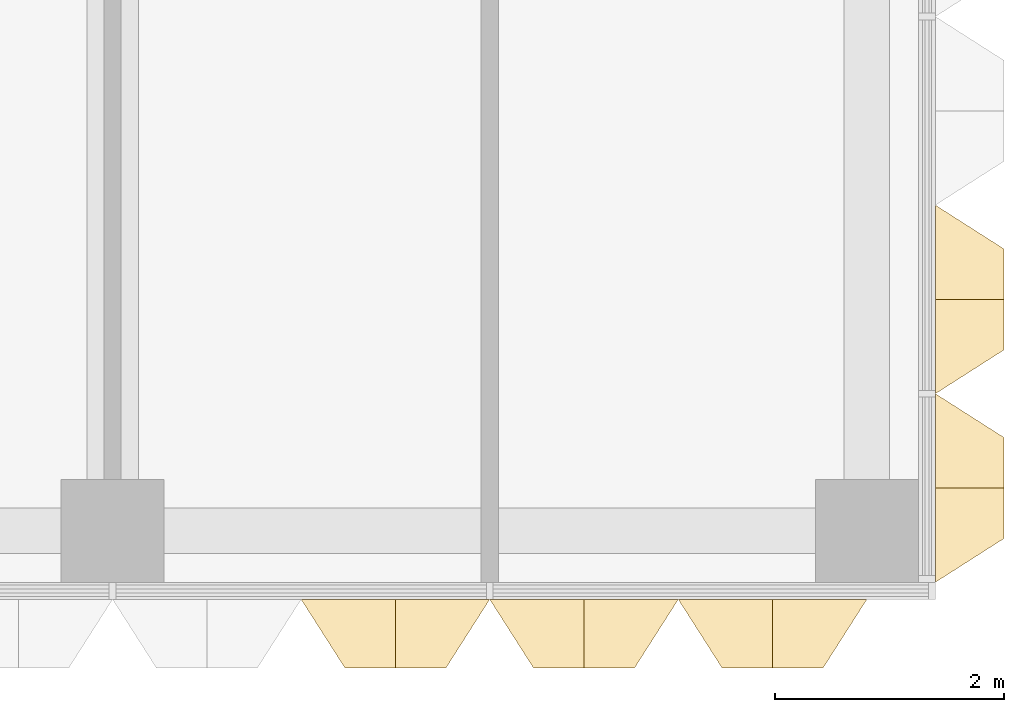
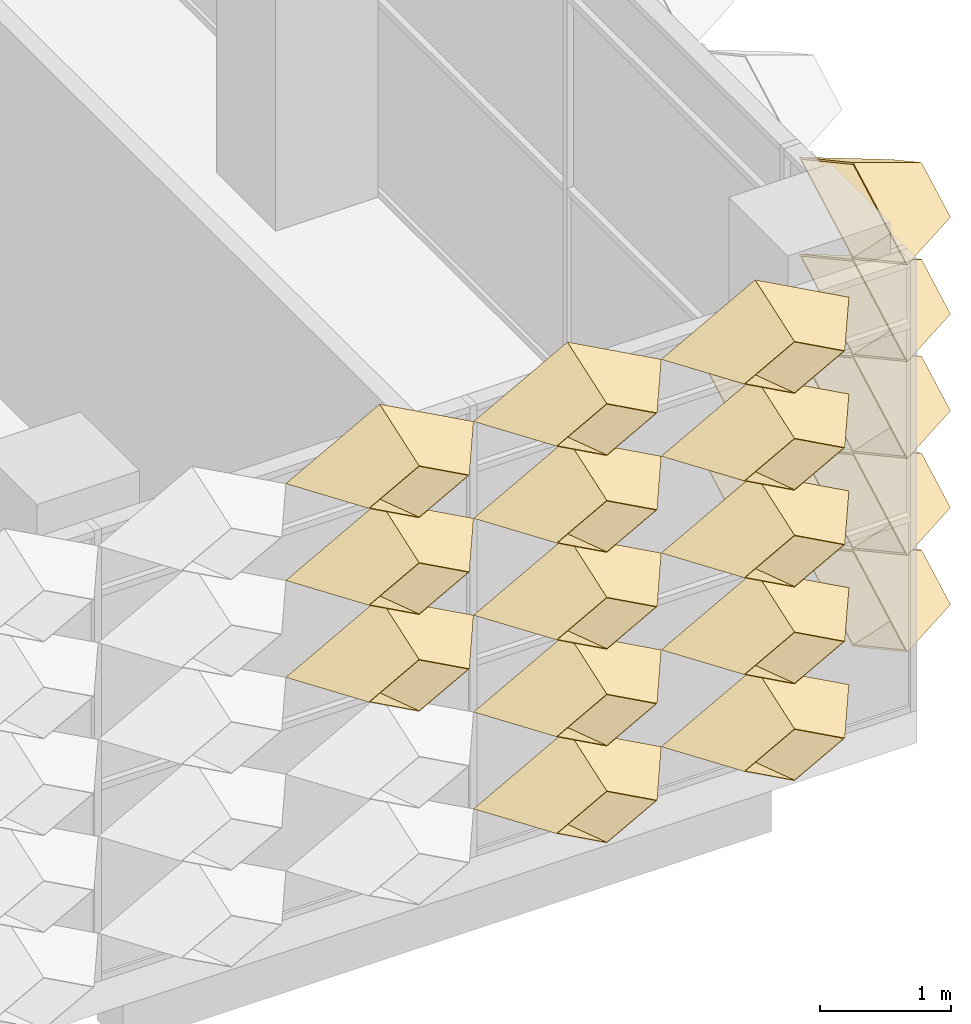
# One storey, part 76 of 102: 20 coverings.
"""IFC4 building model written with IfcOpenShell, lengths in metres."""

from ifc_helpers import new_model, entity, si_unit, direction, frame, origin, place, context, subcontext, project, spatial, material, layer, layer_set, type_object, element, save


model = new_model("IFC4")

# Units and contexts
model_context = context("Model", 3, precision=1e-05, world=origin(), true_north=direction((0.0, 1.0)))
body_context = subcontext(model_context, "Body", "Model", "MODEL_VIEW")
ifc_project = project(units=[si_unit("LENGTHUNIT", "METRE"), si_unit("AREAUNIT", "SQUARE_METRE"), si_unit("VOLUMEUNIT", "CUBIC_METRE"), si_unit("PLANEANGLEUNIT", "RADIAN"), si_unit("MASSUNIT", "GRAM", prefix="KILO")], contexts=[model_context])

# Site, building, storey
site_placement = place(None, origin())
site = spatial("IfcSite", under=ifc_project, at=site_placement, CompositionType="ELEMENT")
building_placement = place(site_placement, origin())
building = spatial("IfcBuilding", under=site, at=building_placement, Name="Lantern Court Research Institute", CompositionType="ELEMENT")
storey_placement = place(building_placement, frame((0.0, 0.0, 9.89990234375)))
storey = spatial("IfcBuildingStorey", under=building, at=storey_placement, Name="L02", CompositionType="ELEMENT", Elevation=9.89990234375)

# Coverings
ifc_material = material(Name="Anodised aluminium", Category="aluminium")
ifc_layer = layer(ifc_material, 0.01611328125)
ifc_layer_set = layer_set([ifc_layer], Name="Anodised aluminium")
covering_type = type_object("IfcCoveringType", Name="Fin cassette 1650 x 900 x 600 aluminium", PredefinedType="CLADDING", material=ifc_layer_set)
covering_1_placement = place(storey_placement, frame((79.800048828125, -7.425048828125, 0.4501953125), z_axis=(1.0, 0.0, 0.0), x_axis=(0.0, 1.0, 0.0)))
cartesian_point_1 = entity("IfcCartesianPoint", [0.824951171875, 0.0])
cartesian_point_2 = entity("IfcCartesianPoint", [0.79150390625, 0.0])
cartesian_point_3 = entity("IfcCartesianPoint", [0.44189453125, 0.0])
cartesian_point_4 = entity("IfcCartesianPoint", [0.43359375, 0.0])
element("IfcCovering", 1, at=covering_1_placement, inside=storey, type_object=covering_type, Name="Fin cassette V5E-L02 1.-4", PredefinedType="CLADDING", context=body_context, shape_type="SweptSolid", body=[
    entity("IfcExtrudedAreaSolidTapered", entity("IfcArbitraryProfileDefWithVoids", "AREA", None, entity("IfcPolyline", [cartesian_point_1, entity("IfcCartesianPoint", [0.0, 0.449951171875]), entity("IfcCartesianPoint", [-0.824951171875, 0.0]), entity("IfcCartesianPoint", [0.0, -0.449951171875]), cartesian_point_1]), [entity("IfcPolyline", [cartesian_point_2, entity("IfcCartesianPoint", [0.0, 0.431884765625]), entity("IfcCartesianPoint", [-0.79150390625, 0.0]), entity("IfcCartesianPoint", [0.0, -0.431884765625]), cartesian_point_2])]), entity("IfcAxis2Placement3D", entity("IfcCartesianPoint", [0.0, 0.0, 0.0])), entity("IfcDirection", [0.0, 0.0, 1.0]), 0.60009765625, entity("IfcArbitraryProfileDefWithVoids", "AREA", None, entity("IfcPolyline", [cartesian_point_3, entity("IfcCartesianPoint", [0.0, 0.240966796875]), entity("IfcCartesianPoint", [-0.44189453125, 0.0]), entity("IfcCartesianPoint", [0.0, -0.240966796875]), cartesian_point_3]), [entity("IfcPolyline", [cartesian_point_4, entity("IfcCartesianPoint", [0.0, 0.236572265625]), entity("IfcCartesianPoint", [-0.43359375, 0.0]), entity("IfcCartesianPoint", [0.0, -0.236572265625]), cartesian_point_4])])),
])
covering_2_placement = place(storey_placement, frame((79.800048828125, -5.77490234375, 0.4501953125), z_axis=(1.0, 0.0, 0.0), x_axis=(0.0, 1.0, 0.0)))
cartesian_point_5 = entity("IfcCartesianPoint", [0.824951171875, 0.0])
cartesian_point_6 = entity("IfcCartesianPoint", [0.79150390625, 0.0])
cartesian_point_7 = entity("IfcCartesianPoint", [0.44189453125, 0.0])
cartesian_point_8 = entity("IfcCartesianPoint", [0.43359375, 0.0])
element("IfcCovering", 2, at=covering_2_placement, inside=storey, type_object=covering_type, Name="Fin cassette V5E-L02 1.-3", PredefinedType="CLADDING", context=body_context, shape_type="SweptSolid", body=[
    entity("IfcExtrudedAreaSolidTapered", entity("IfcArbitraryProfileDefWithVoids", "AREA", None, entity("IfcPolyline", [cartesian_point_5, entity("IfcCartesianPoint", [0.0, 0.449951171875]), entity("IfcCartesianPoint", [-0.824951171875, 0.0]), entity("IfcCartesianPoint", [0.0, -0.449951171875]), cartesian_point_5]), [entity("IfcPolyline", [cartesian_point_6, entity("IfcCartesianPoint", [0.0, 0.431884765625]), entity("IfcCartesianPoint", [-0.79150390625, 0.0]), entity("IfcCartesianPoint", [0.0, -0.431884765625]), cartesian_point_6])]), entity("IfcAxis2Placement3D", entity("IfcCartesianPoint", [0.0, 0.0, 0.0])), entity("IfcDirection", [0.0, 0.0, 1.0]), 0.60009765625, entity("IfcArbitraryProfileDefWithVoids", "AREA", None, entity("IfcPolyline", [cartesian_point_7, entity("IfcCartesianPoint", [0.0, 0.240966796875]), entity("IfcCartesianPoint", [-0.44189453125, 0.0]), entity("IfcCartesianPoint", [0.0, -0.240966796875]), cartesian_point_7]), [entity("IfcPolyline", [cartesian_point_8, entity("IfcCartesianPoint", [0.0, 0.236572265625]), entity("IfcCartesianPoint", [-0.43359375, 0.0]), entity("IfcCartesianPoint", [0.0, -0.236572265625]), cartesian_point_8])])),
])
covering_3_placement = place(storey_placement, frame((79.800048828125, -7.425048828125, 1.35009765625), z_axis=(1.0, 0.0, 0.0), x_axis=(0.0, 1.0, 0.0)))
cartesian_point_9 = entity("IfcCartesianPoint", [0.824951171875, 0.0])
cartesian_point_10 = entity("IfcCartesianPoint", [0.79150390625, 0.0])
cartesian_point_11 = entity("IfcCartesianPoint", [0.44189453125, 0.0])
cartesian_point_12 = entity("IfcCartesianPoint", [0.43359375, 0.0])
element("IfcCovering", 3, at=covering_3_placement, inside=storey, type_object=covering_type, Name="Fin cassette V5E-L02 2.-4", PredefinedType="CLADDING", context=body_context, shape_type="SweptSolid", body=[
    entity("IfcExtrudedAreaSolidTapered", entity("IfcArbitraryProfileDefWithVoids", "AREA", None, entity("IfcPolyline", [cartesian_point_9, entity("IfcCartesianPoint", [0.0, 0.449951171875]), entity("IfcCartesianPoint", [-0.824951171875, 0.0]), entity("IfcCartesianPoint", [0.0, -0.449951171875]), cartesian_point_9]), [entity("IfcPolyline", [cartesian_point_10, entity("IfcCartesianPoint", [0.0, 0.431884765625]), entity("IfcCartesianPoint", [-0.79150390625, 0.0]), entity("IfcCartesianPoint", [0.0, -0.431884765625]), cartesian_point_10])]), entity("IfcAxis2Placement3D", entity("IfcCartesianPoint", [0.0, 0.0, 0.0])), entity("IfcDirection", [0.0, 0.0, 1.0]), 0.60009765625, entity("IfcArbitraryProfileDefWithVoids", "AREA", None, entity("IfcPolyline", [cartesian_point_11, entity("IfcCartesianPoint", [0.0, 0.240966796875]), entity("IfcCartesianPoint", [-0.44189453125, 0.0]), entity("IfcCartesianPoint", [0.0, -0.240966796875]), cartesian_point_11]), [entity("IfcPolyline", [cartesian_point_12, entity("IfcCartesianPoint", [0.0, 0.236572265625]), entity("IfcCartesianPoint", [-0.43359375, 0.0]), entity("IfcCartesianPoint", [0.0, -0.236572265625]), cartesian_point_12])])),
])
covering_4_placement = place(storey_placement, frame((79.800048828125, -5.77490234375, 1.35009765625), z_axis=(1.0, 0.0, 0.0), x_axis=(0.0, 1.0, 0.0)))
cartesian_point_13 = entity("IfcCartesianPoint", [0.824951171875, 0.0])
cartesian_point_14 = entity("IfcCartesianPoint", [0.79150390625, 0.0])
cartesian_point_15 = entity("IfcCartesianPoint", [0.44189453125, 0.0])
cartesian_point_16 = entity("IfcCartesianPoint", [0.43359375, 0.0])
element("IfcCovering", 4, at=covering_4_placement, inside=storey, type_object=covering_type, Name="Fin cassette V5E-L02 2.-3", PredefinedType="CLADDING", context=body_context, shape_type="SweptSolid", body=[
    entity("IfcExtrudedAreaSolidTapered", entity("IfcArbitraryProfileDefWithVoids", "AREA", None, entity("IfcPolyline", [cartesian_point_13, entity("IfcCartesianPoint", [0.0, 0.449951171875]), entity("IfcCartesianPoint", [-0.824951171875, 0.0]), entity("IfcCartesianPoint", [0.0, -0.449951171875]), cartesian_point_13]), [entity("IfcPolyline", [cartesian_point_14, entity("IfcCartesianPoint", [0.0, 0.431884765625]), entity("IfcCartesianPoint", [-0.79150390625, 0.0]), entity("IfcCartesianPoint", [0.0, -0.431884765625]), cartesian_point_14])]), entity("IfcAxis2Placement3D", entity("IfcCartesianPoint", [0.0, 0.0, 0.0])), entity("IfcDirection", [0.0, 0.0, 1.0]), 0.60009765625, entity("IfcArbitraryProfileDefWithVoids", "AREA", None, entity("IfcPolyline", [cartesian_point_15, entity("IfcCartesianPoint", [0.0, 0.240966796875]), entity("IfcCartesianPoint", [-0.44189453125, 0.0]), entity("IfcCartesianPoint", [0.0, -0.240966796875]), cartesian_point_15]), [entity("IfcPolyline", [cartesian_point_16, entity("IfcCartesianPoint", [0.0, 0.236572265625]), entity("IfcCartesianPoint", [-0.43359375, 0.0]), entity("IfcCartesianPoint", [0.0, -0.236572265625]), cartesian_point_16])])),
])
covering_5_placement = place(storey_placement, frame((79.800048828125, -7.425048828125, 2.25), z_axis=(1.0, 0.0, 0.0), x_axis=(0.0, 1.0, 0.0)))
cartesian_point_17 = entity("IfcCartesianPoint", [0.824951171875, 0.0])
cartesian_point_18 = entity("IfcCartesianPoint", [0.79150390625, 0.0])
cartesian_point_19 = entity("IfcCartesianPoint", [0.44189453125, 0.0])
cartesian_point_20 = entity("IfcCartesianPoint", [0.43359375, 0.0])
element("IfcCovering", 5, at=covering_5_placement, inside=storey, type_object=covering_type, Name="Fin cassette V5E-L02 3.-4", PredefinedType="CLADDING", context=body_context, shape_type="SweptSolid", body=[
    entity("IfcExtrudedAreaSolidTapered", entity("IfcArbitraryProfileDefWithVoids", "AREA", None, entity("IfcPolyline", [cartesian_point_17, entity("IfcCartesianPoint", [0.0, 0.449951171875]), entity("IfcCartesianPoint", [-0.824951171875, 0.0]), entity("IfcCartesianPoint", [0.0, -0.449951171875]), cartesian_point_17]), [entity("IfcPolyline", [cartesian_point_18, entity("IfcCartesianPoint", [0.0, 0.431884765625]), entity("IfcCartesianPoint", [-0.79150390625, 0.0]), entity("IfcCartesianPoint", [0.0, -0.431884765625]), cartesian_point_18])]), entity("IfcAxis2Placement3D", entity("IfcCartesianPoint", [0.0, 0.0, 0.0])), entity("IfcDirection", [0.0, 0.0, 1.0]), 0.60009765625, entity("IfcArbitraryProfileDefWithVoids", "AREA", None, entity("IfcPolyline", [cartesian_point_19, entity("IfcCartesianPoint", [0.0, 0.240966796875]), entity("IfcCartesianPoint", [-0.44189453125, 0.0]), entity("IfcCartesianPoint", [0.0, -0.240966796875]), cartesian_point_19]), [entity("IfcPolyline", [cartesian_point_20, entity("IfcCartesianPoint", [0.0, 0.236572265625]), entity("IfcCartesianPoint", [-0.43359375, 0.0]), entity("IfcCartesianPoint", [0.0, -0.236572265625]), cartesian_point_20])])),
])
covering_6_placement = place(storey_placement, frame((79.800048828125, -7.425048828125, 3.150146484375), z_axis=(1.0, 0.0, 0.0), x_axis=(0.0, 1.0, 0.0)))
cartesian_point_21 = entity("IfcCartesianPoint", [0.824951171875, 0.0])
cartesian_point_22 = entity("IfcCartesianPoint", [0.79150390625, 0.0])
cartesian_point_23 = entity("IfcCartesianPoint", [0.44189453125, 0.0])
cartesian_point_24 = entity("IfcCartesianPoint", [0.43359375, 0.0])
element("IfcCovering", 6, at=covering_6_placement, inside=storey, type_object=covering_type, Name="Fin cassette V5E-L02 4.-4", PredefinedType="CLADDING", context=body_context, shape_type="SweptSolid", body=[
    entity("IfcExtrudedAreaSolidTapered", entity("IfcArbitraryProfileDefWithVoids", "AREA", None, entity("IfcPolyline", [cartesian_point_21, entity("IfcCartesianPoint", [0.0, 0.449951171875]), entity("IfcCartesianPoint", [-0.824951171875, 0.0]), entity("IfcCartesianPoint", [0.0, -0.449951171875]), cartesian_point_21]), [entity("IfcPolyline", [cartesian_point_22, entity("IfcCartesianPoint", [0.0, 0.431884765625]), entity("IfcCartesianPoint", [-0.79150390625, 0.0]), entity("IfcCartesianPoint", [0.0, -0.431884765625]), cartesian_point_22])]), entity("IfcAxis2Placement3D", entity("IfcCartesianPoint", [0.0, 0.0, 0.0])), entity("IfcDirection", [0.0, 0.0, 1.0]), 0.60009765625, entity("IfcArbitraryProfileDefWithVoids", "AREA", None, entity("IfcPolyline", [cartesian_point_23, entity("IfcCartesianPoint", [0.0, 0.240966796875]), entity("IfcCartesianPoint", [-0.44189453125, 0.0]), entity("IfcCartesianPoint", [0.0, -0.240966796875]), cartesian_point_23]), [entity("IfcPolyline", [cartesian_point_24, entity("IfcCartesianPoint", [0.0, 0.236572265625]), entity("IfcCartesianPoint", [-0.43359375, 0.0]), entity("IfcCartesianPoint", [0.0, -0.236572265625]), cartesian_point_24])])),
])
covering_7_placement = place(storey_placement, frame((79.800048828125, -7.425048828125, 4.050048828125), z_axis=(1.0, 0.0, 0.0), x_axis=(0.0, 1.0, 0.0)))
cartesian_point_25 = entity("IfcCartesianPoint", [0.824951171875, 0.0])
cartesian_point_26 = entity("IfcCartesianPoint", [0.79150390625, 0.0])
cartesian_point_27 = entity("IfcCartesianPoint", [0.44189453125, 0.0])
cartesian_point_28 = entity("IfcCartesianPoint", [0.43359375, 0.0])
element("IfcCovering", 7, at=covering_7_placement, inside=storey, type_object=covering_type, Name="Fin cassette V5E-L02 5.-4", PredefinedType="CLADDING", context=body_context, shape_type="SweptSolid", body=[
    entity("IfcExtrudedAreaSolidTapered", entity("IfcArbitraryProfileDefWithVoids", "AREA", None, entity("IfcPolyline", [cartesian_point_25, entity("IfcCartesianPoint", [0.0, 0.449951171875]), entity("IfcCartesianPoint", [-0.824951171875, 0.0]), entity("IfcCartesianPoint", [0.0, -0.449951171875]), cartesian_point_25]), [entity("IfcPolyline", [cartesian_point_26, entity("IfcCartesianPoint", [0.0, 0.431884765625]), entity("IfcCartesianPoint", [-0.79150390625, 0.0]), entity("IfcCartesianPoint", [0.0, -0.431884765625]), cartesian_point_26])]), entity("IfcAxis2Placement3D", entity("IfcCartesianPoint", [0.0, 0.0, 0.0])), entity("IfcDirection", [0.0, 0.0, 1.0]), 0.60009765625, entity("IfcArbitraryProfileDefWithVoids", "AREA", None, entity("IfcPolyline", [cartesian_point_27, entity("IfcCartesianPoint", [0.0, 0.240966796875]), entity("IfcCartesianPoint", [-0.44189453125, 0.0]), entity("IfcCartesianPoint", [0.0, -0.240966796875]), cartesian_point_27]), [entity("IfcPolyline", [cartesian_point_28, entity("IfcCartesianPoint", [0.0, 0.236572265625]), entity("IfcCartesianPoint", [-0.43359375, 0.0]), entity("IfcCartesianPoint", [0.0, -0.236572265625]), cartesian_point_28])])),
])
covering_8_placement = place(storey_placement, frame((76.72509765625, -8.39990234375, 0.4501953125), z_axis=(0.0, -1.0, 0.0), x_axis=(1.0, 0.0, 0.0)))
cartesian_point_29 = entity("IfcCartesianPoint", [0.824951171875, 0.0])
cartesian_point_30 = entity("IfcCartesianPoint", [0.79150390625, 0.0])
cartesian_point_31 = entity("IfcCartesianPoint", [0.44189453125, 0.0])
cartesian_point_32 = entity("IfcCartesianPoint", [0.43359375, 0.0])
element("IfcCovering", 8, at=covering_8_placement, inside=storey, type_object=covering_type, Name="Fin cassette V5S-L02 1.47", PredefinedType="CLADDING", context=body_context, shape_type="SweptSolid", body=[
    entity("IfcExtrudedAreaSolidTapered", entity("IfcArbitraryProfileDefWithVoids", "AREA", None, entity("IfcPolyline", [cartesian_point_29, entity("IfcCartesianPoint", [0.0, 0.449951171875]), entity("IfcCartesianPoint", [-0.824951171875, 0.0]), entity("IfcCartesianPoint", [0.0, -0.449951171875]), cartesian_point_29]), [entity("IfcPolyline", [cartesian_point_30, entity("IfcCartesianPoint", [0.0, 0.431884765625]), entity("IfcCartesianPoint", [-0.79150390625, 0.0]), entity("IfcCartesianPoint", [0.0, -0.431884765625]), cartesian_point_30])]), entity("IfcAxis2Placement3D", entity("IfcCartesianPoint", [0.0, 0.0, 0.0])), entity("IfcDirection", [0.0, 0.0, 1.0]), 0.60009765625, entity("IfcArbitraryProfileDefWithVoids", "AREA", None, entity("IfcPolyline", [cartesian_point_31, entity("IfcCartesianPoint", [0.0, 0.240966796875]), entity("IfcCartesianPoint", [-0.44189453125, 0.0]), entity("IfcCartesianPoint", [0.0, -0.240966796875]), cartesian_point_31]), [entity("IfcPolyline", [cartesian_point_32, entity("IfcCartesianPoint", [0.0, 0.236572265625]), entity("IfcCartesianPoint", [-0.43359375, 0.0]), entity("IfcCartesianPoint", [0.0, -0.236572265625]), cartesian_point_32])])),
])
covering_9_placement = place(storey_placement, frame((78.375, -8.39990234375, 0.4501953125), z_axis=(0.0, -1.0, 0.0), x_axis=(1.0, 0.0, 0.0)))
cartesian_point_33 = entity("IfcCartesianPoint", [0.824951171875, 0.0])
cartesian_point_34 = entity("IfcCartesianPoint", [0.79150390625, 0.0])
cartesian_point_35 = entity("IfcCartesianPoint", [0.44189453125, 0.0])
cartesian_point_36 = entity("IfcCartesianPoint", [0.43359375, 0.0])
element("IfcCovering", 9, at=covering_9_placement, inside=storey, type_object=covering_type, Name="Fin cassette V5S-L02 1.48", PredefinedType="CLADDING", context=body_context, shape_type="SweptSolid", body=[
    entity("IfcExtrudedAreaSolidTapered", entity("IfcArbitraryProfileDefWithVoids", "AREA", None, entity("IfcPolyline", [cartesian_point_33, entity("IfcCartesianPoint", [0.0, 0.449951171875]), entity("IfcCartesianPoint", [-0.824951171875, 0.0]), entity("IfcCartesianPoint", [0.0, -0.449951171875]), cartesian_point_33]), [entity("IfcPolyline", [cartesian_point_34, entity("IfcCartesianPoint", [0.0, 0.431884765625]), entity("IfcCartesianPoint", [-0.79150390625, 0.0]), entity("IfcCartesianPoint", [0.0, -0.431884765625]), cartesian_point_34])]), entity("IfcAxis2Placement3D", entity("IfcCartesianPoint", [0.0, 0.0, 0.0])), entity("IfcDirection", [0.0, 0.0, 1.0]), 0.60009765625, entity("IfcArbitraryProfileDefWithVoids", "AREA", None, entity("IfcPolyline", [cartesian_point_35, entity("IfcCartesianPoint", [0.0, 0.240966796875]), entity("IfcCartesianPoint", [-0.44189453125, 0.0]), entity("IfcCartesianPoint", [0.0, -0.240966796875]), cartesian_point_35]), [entity("IfcPolyline", [cartesian_point_36, entity("IfcCartesianPoint", [0.0, 0.236572265625]), entity("IfcCartesianPoint", [-0.43359375, 0.0]), entity("IfcCartesianPoint", [0.0, -0.236572265625]), cartesian_point_36])])),
])
covering_10_placement = place(storey_placement, frame((76.72509765625, -8.39990234375, 1.35009765625), z_axis=(0.0, -1.0, 0.0), x_axis=(1.0, 0.0, 0.0)))
cartesian_point_37 = entity("IfcCartesianPoint", [0.824951171875, 0.0])
cartesian_point_38 = entity("IfcCartesianPoint", [0.79150390625, 0.0])
cartesian_point_39 = entity("IfcCartesianPoint", [0.44189453125, 0.0])
cartesian_point_40 = entity("IfcCartesianPoint", [0.43359375, 0.0])
element("IfcCovering", 10, at=covering_10_placement, inside=storey, type_object=covering_type, Name="Fin cassette V5S-L02 2.47", PredefinedType="CLADDING", context=body_context, shape_type="SweptSolid", body=[
    entity("IfcExtrudedAreaSolidTapered", entity("IfcArbitraryProfileDefWithVoids", "AREA", None, entity("IfcPolyline", [cartesian_point_37, entity("IfcCartesianPoint", [0.0, 0.449951171875]), entity("IfcCartesianPoint", [-0.824951171875, 0.0]), entity("IfcCartesianPoint", [0.0, -0.449951171875]), cartesian_point_37]), [entity("IfcPolyline", [cartesian_point_38, entity("IfcCartesianPoint", [0.0, 0.431884765625]), entity("IfcCartesianPoint", [-0.79150390625, 0.0]), entity("IfcCartesianPoint", [0.0, -0.431884765625]), cartesian_point_38])]), entity("IfcAxis2Placement3D", entity("IfcCartesianPoint", [0.0, 0.0, 0.0])), entity("IfcDirection", [0.0, 0.0, 1.0]), 0.60009765625, entity("IfcArbitraryProfileDefWithVoids", "AREA", None, entity("IfcPolyline", [cartesian_point_39, entity("IfcCartesianPoint", [0.0, 0.240966796875]), entity("IfcCartesianPoint", [-0.44189453125, 0.0]), entity("IfcCartesianPoint", [0.0, -0.240966796875]), cartesian_point_39]), [entity("IfcPolyline", [cartesian_point_40, entity("IfcCartesianPoint", [0.0, 0.236572265625]), entity("IfcCartesianPoint", [-0.43359375, 0.0]), entity("IfcCartesianPoint", [0.0, -0.236572265625]), cartesian_point_40])])),
])
covering_11_placement = place(storey_placement, frame((78.375, -8.39990234375, 1.35009765625), z_axis=(0.0, -1.0, 0.0), x_axis=(1.0, 0.0, 0.0)))
cartesian_point_41 = entity("IfcCartesianPoint", [0.824951171875, 0.0])
cartesian_point_42 = entity("IfcCartesianPoint", [0.79150390625, 0.0])
cartesian_point_43 = entity("IfcCartesianPoint", [0.44189453125, 0.0])
cartesian_point_44 = entity("IfcCartesianPoint", [0.43359375, 0.0])
element("IfcCovering", 11, at=covering_11_placement, inside=storey, type_object=covering_type, Name="Fin cassette V5S-L02 2.48", PredefinedType="CLADDING", context=body_context, shape_type="SweptSolid", body=[
    entity("IfcExtrudedAreaSolidTapered", entity("IfcArbitraryProfileDefWithVoids", "AREA", None, entity("IfcPolyline", [cartesian_point_41, entity("IfcCartesianPoint", [0.0, 0.449951171875]), entity("IfcCartesianPoint", [-0.824951171875, 0.0]), entity("IfcCartesianPoint", [0.0, -0.449951171875]), cartesian_point_41]), [entity("IfcPolyline", [cartesian_point_42, entity("IfcCartesianPoint", [0.0, 0.431884765625]), entity("IfcCartesianPoint", [-0.79150390625, 0.0]), entity("IfcCartesianPoint", [0.0, -0.431884765625]), cartesian_point_42])]), entity("IfcAxis2Placement3D", entity("IfcCartesianPoint", [0.0, 0.0, 0.0])), entity("IfcDirection", [0.0, 0.0, 1.0]), 0.60009765625, entity("IfcArbitraryProfileDefWithVoids", "AREA", None, entity("IfcPolyline", [cartesian_point_43, entity("IfcCartesianPoint", [0.0, 0.240966796875]), entity("IfcCartesianPoint", [-0.44189453125, 0.0]), entity("IfcCartesianPoint", [0.0, -0.240966796875]), cartesian_point_43]), [entity("IfcPolyline", [cartesian_point_44, entity("IfcCartesianPoint", [0.0, 0.236572265625]), entity("IfcCartesianPoint", [-0.43359375, 0.0]), entity("IfcCartesianPoint", [0.0, -0.236572265625]), cartesian_point_44])])),
])
covering_12_placement = place(storey_placement, frame((75.074951171875, -8.39990234375, 2.25), z_axis=(0.0, -1.0, 0.0), x_axis=(1.0, 0.0, 0.0)))
cartesian_point_45 = entity("IfcCartesianPoint", [0.824951171875, 0.0])
cartesian_point_46 = entity("IfcCartesianPoint", [0.79150390625, 0.0])
cartesian_point_47 = entity("IfcCartesianPoint", [0.44189453125, 0.0])
cartesian_point_48 = entity("IfcCartesianPoint", [0.43359375, 0.0])
element("IfcCovering", 12, at=covering_12_placement, inside=storey, type_object=covering_type, Name="Fin cassette V5S-L02 3.46", PredefinedType="CLADDING", context=body_context, shape_type="SweptSolid", body=[
    entity("IfcExtrudedAreaSolidTapered", entity("IfcArbitraryProfileDefWithVoids", "AREA", None, entity("IfcPolyline", [cartesian_point_45, entity("IfcCartesianPoint", [0.0, 0.449951171875]), entity("IfcCartesianPoint", [-0.824951171875, 0.0]), entity("IfcCartesianPoint", [0.0, -0.449951171875]), cartesian_point_45]), [entity("IfcPolyline", [cartesian_point_46, entity("IfcCartesianPoint", [0.0, 0.431884765625]), entity("IfcCartesianPoint", [-0.79150390625, 0.0]), entity("IfcCartesianPoint", [0.0, -0.431884765625]), cartesian_point_46])]), entity("IfcAxis2Placement3D", entity("IfcCartesianPoint", [0.0, 0.0, 0.0])), entity("IfcDirection", [0.0, 0.0, 1.0]), 0.60009765625, entity("IfcArbitraryProfileDefWithVoids", "AREA", None, entity("IfcPolyline", [cartesian_point_47, entity("IfcCartesianPoint", [0.0, 0.240966796875]), entity("IfcCartesianPoint", [-0.44189453125, 0.0]), entity("IfcCartesianPoint", [0.0, -0.240966796875]), cartesian_point_47]), [entity("IfcPolyline", [cartesian_point_48, entity("IfcCartesianPoint", [0.0, 0.236572265625]), entity("IfcCartesianPoint", [-0.43359375, 0.0]), entity("IfcCartesianPoint", [0.0, -0.236572265625]), cartesian_point_48])])),
])
covering_13_placement = place(storey_placement, frame((76.72509765625, -8.39990234375, 2.25), z_axis=(0.0, -1.0, 0.0), x_axis=(1.0, 0.0, 0.0)))
cartesian_point_49 = entity("IfcCartesianPoint", [0.824951171875, 0.0])
cartesian_point_50 = entity("IfcCartesianPoint", [0.79150390625, 0.0])
cartesian_point_51 = entity("IfcCartesianPoint", [0.44189453125, 0.0])
cartesian_point_52 = entity("IfcCartesianPoint", [0.43359375, 0.0])
element("IfcCovering", 13, at=covering_13_placement, inside=storey, type_object=covering_type, Name="Fin cassette V5S-L02 3.47", PredefinedType="CLADDING", context=body_context, shape_type="SweptSolid", body=[
    entity("IfcExtrudedAreaSolidTapered", entity("IfcArbitraryProfileDefWithVoids", "AREA", None, entity("IfcPolyline", [cartesian_point_49, entity("IfcCartesianPoint", [0.0, 0.449951171875]), entity("IfcCartesianPoint", [-0.824951171875, 0.0]), entity("IfcCartesianPoint", [0.0, -0.449951171875]), cartesian_point_49]), [entity("IfcPolyline", [cartesian_point_50, entity("IfcCartesianPoint", [0.0, 0.431884765625]), entity("IfcCartesianPoint", [-0.79150390625, 0.0]), entity("IfcCartesianPoint", [0.0, -0.431884765625]), cartesian_point_50])]), entity("IfcAxis2Placement3D", entity("IfcCartesianPoint", [0.0, 0.0, 0.0])), entity("IfcDirection", [0.0, 0.0, 1.0]), 0.60009765625, entity("IfcArbitraryProfileDefWithVoids", "AREA", None, entity("IfcPolyline", [cartesian_point_51, entity("IfcCartesianPoint", [0.0, 0.240966796875]), entity("IfcCartesianPoint", [-0.44189453125, 0.0]), entity("IfcCartesianPoint", [0.0, -0.240966796875]), cartesian_point_51]), [entity("IfcPolyline", [cartesian_point_52, entity("IfcCartesianPoint", [0.0, 0.236572265625]), entity("IfcCartesianPoint", [-0.43359375, 0.0]), entity("IfcCartesianPoint", [0.0, -0.236572265625]), cartesian_point_52])])),
])
covering_14_placement = place(storey_placement, frame((78.375, -8.39990234375, 2.25), z_axis=(0.0, -1.0, 0.0), x_axis=(1.0, 0.0, 0.0)))
cartesian_point_53 = entity("IfcCartesianPoint", [0.824951171875, 0.0])
cartesian_point_54 = entity("IfcCartesianPoint", [0.79150390625, 0.0])
cartesian_point_55 = entity("IfcCartesianPoint", [0.44189453125, 0.0])
cartesian_point_56 = entity("IfcCartesianPoint", [0.43359375, 0.0])
element("IfcCovering", 14, at=covering_14_placement, inside=storey, type_object=covering_type, Name="Fin cassette V5S-L02 3.48", PredefinedType="CLADDING", context=body_context, shape_type="SweptSolid", body=[
    entity("IfcExtrudedAreaSolidTapered", entity("IfcArbitraryProfileDefWithVoids", "AREA", None, entity("IfcPolyline", [cartesian_point_53, entity("IfcCartesianPoint", [0.0, 0.449951171875]), entity("IfcCartesianPoint", [-0.824951171875, 0.0]), entity("IfcCartesianPoint", [0.0, -0.449951171875]), cartesian_point_53]), [entity("IfcPolyline", [cartesian_point_54, entity("IfcCartesianPoint", [0.0, 0.431884765625]), entity("IfcCartesianPoint", [-0.79150390625, 0.0]), entity("IfcCartesianPoint", [0.0, -0.431884765625]), cartesian_point_54])]), entity("IfcAxis2Placement3D", entity("IfcCartesianPoint", [0.0, 0.0, 0.0])), entity("IfcDirection", [0.0, 0.0, 1.0]), 0.60009765625, entity("IfcArbitraryProfileDefWithVoids", "AREA", None, entity("IfcPolyline", [cartesian_point_55, entity("IfcCartesianPoint", [0.0, 0.240966796875]), entity("IfcCartesianPoint", [-0.44189453125, 0.0]), entity("IfcCartesianPoint", [0.0, -0.240966796875]), cartesian_point_55]), [entity("IfcPolyline", [cartesian_point_56, entity("IfcCartesianPoint", [0.0, 0.236572265625]), entity("IfcCartesianPoint", [-0.43359375, 0.0]), entity("IfcCartesianPoint", [0.0, -0.236572265625]), cartesian_point_56])])),
])
covering_15_placement = place(storey_placement, frame((75.074951171875, -8.39990234375, 3.150146484375), z_axis=(0.0, -1.0, 0.0), x_axis=(1.0, 0.0, 0.0)))
cartesian_point_57 = entity("IfcCartesianPoint", [0.824951171875, 0.0])
cartesian_point_58 = entity("IfcCartesianPoint", [0.79150390625, 0.0])
cartesian_point_59 = entity("IfcCartesianPoint", [0.44189453125, 0.0])
cartesian_point_60 = entity("IfcCartesianPoint", [0.43359375, 0.0])
element("IfcCovering", 15, at=covering_15_placement, inside=storey, type_object=covering_type, Name="Fin cassette V5S-L02 4.46", PredefinedType="CLADDING", context=body_context, shape_type="SweptSolid", body=[
    entity("IfcExtrudedAreaSolidTapered", entity("IfcArbitraryProfileDefWithVoids", "AREA", None, entity("IfcPolyline", [cartesian_point_57, entity("IfcCartesianPoint", [0.0, 0.449951171875]), entity("IfcCartesianPoint", [-0.824951171875, 0.0]), entity("IfcCartesianPoint", [0.0, -0.449951171875]), cartesian_point_57]), [entity("IfcPolyline", [cartesian_point_58, entity("IfcCartesianPoint", [0.0, 0.431884765625]), entity("IfcCartesianPoint", [-0.79150390625, 0.0]), entity("IfcCartesianPoint", [0.0, -0.431884765625]), cartesian_point_58])]), entity("IfcAxis2Placement3D", entity("IfcCartesianPoint", [0.0, 0.0, 0.0])), entity("IfcDirection", [0.0, 0.0, 1.0]), 0.60009765625, entity("IfcArbitraryProfileDefWithVoids", "AREA", None, entity("IfcPolyline", [cartesian_point_59, entity("IfcCartesianPoint", [0.0, 0.240966796875]), entity("IfcCartesianPoint", [-0.44189453125, 0.0]), entity("IfcCartesianPoint", [0.0, -0.240966796875]), cartesian_point_59]), [entity("IfcPolyline", [cartesian_point_60, entity("IfcCartesianPoint", [0.0, 0.236572265625]), entity("IfcCartesianPoint", [-0.43359375, 0.0]), entity("IfcCartesianPoint", [0.0, -0.236572265625]), cartesian_point_60])])),
])
covering_16_placement = place(storey_placement, frame((76.72509765625, -8.39990234375, 3.150146484375), z_axis=(0.0, -1.0, 0.0), x_axis=(1.0, 0.0, 0.0)))
cartesian_point_61 = entity("IfcCartesianPoint", [0.824951171875, 0.0])
cartesian_point_62 = entity("IfcCartesianPoint", [0.79150390625, 0.0])
cartesian_point_63 = entity("IfcCartesianPoint", [0.44189453125, 0.0])
cartesian_point_64 = entity("IfcCartesianPoint", [0.43359375, 0.0])
element("IfcCovering", 16, at=covering_16_placement, inside=storey, type_object=covering_type, Name="Fin cassette V5S-L02 4.47", PredefinedType="CLADDING", context=body_context, shape_type="SweptSolid", body=[
    entity("IfcExtrudedAreaSolidTapered", entity("IfcArbitraryProfileDefWithVoids", "AREA", None, entity("IfcPolyline", [cartesian_point_61, entity("IfcCartesianPoint", [0.0, 0.449951171875]), entity("IfcCartesianPoint", [-0.824951171875, 0.0]), entity("IfcCartesianPoint", [0.0, -0.449951171875]), cartesian_point_61]), [entity("IfcPolyline", [cartesian_point_62, entity("IfcCartesianPoint", [0.0, 0.431884765625]), entity("IfcCartesianPoint", [-0.79150390625, 0.0]), entity("IfcCartesianPoint", [0.0, -0.431884765625]), cartesian_point_62])]), entity("IfcAxis2Placement3D", entity("IfcCartesianPoint", [0.0, 0.0, 0.0])), entity("IfcDirection", [0.0, 0.0, 1.0]), 0.60009765625, entity("IfcArbitraryProfileDefWithVoids", "AREA", None, entity("IfcPolyline", [cartesian_point_63, entity("IfcCartesianPoint", [0.0, 0.240966796875]), entity("IfcCartesianPoint", [-0.44189453125, 0.0]), entity("IfcCartesianPoint", [0.0, -0.240966796875]), cartesian_point_63]), [entity("IfcPolyline", [cartesian_point_64, entity("IfcCartesianPoint", [0.0, 0.236572265625]), entity("IfcCartesianPoint", [-0.43359375, 0.0]), entity("IfcCartesianPoint", [0.0, -0.236572265625]), cartesian_point_64])])),
])
covering_17_placement = place(storey_placement, frame((78.375, -8.39990234375, 3.150146484375), z_axis=(0.0, -1.0, 0.0), x_axis=(1.0, 0.0, 0.0)))
cartesian_point_65 = entity("IfcCartesianPoint", [0.824951171875, 0.0])
cartesian_point_66 = entity("IfcCartesianPoint", [0.79150390625, 0.0])
cartesian_point_67 = entity("IfcCartesianPoint", [0.44189453125, 0.0])
cartesian_point_68 = entity("IfcCartesianPoint", [0.43359375, 0.0])
element("IfcCovering", 17, at=covering_17_placement, inside=storey, type_object=covering_type, Name="Fin cassette V5S-L02 4.48", PredefinedType="CLADDING", context=body_context, shape_type="SweptSolid", body=[
    entity("IfcExtrudedAreaSolidTapered", entity("IfcArbitraryProfileDefWithVoids", "AREA", None, entity("IfcPolyline", [cartesian_point_65, entity("IfcCartesianPoint", [0.0, 0.449951171875]), entity("IfcCartesianPoint", [-0.824951171875, 0.0]), entity("IfcCartesianPoint", [0.0, -0.449951171875]), cartesian_point_65]), [entity("IfcPolyline", [cartesian_point_66, entity("IfcCartesianPoint", [0.0, 0.431884765625]), entity("IfcCartesianPoint", [-0.79150390625, 0.0]), entity("IfcCartesianPoint", [0.0, -0.431884765625]), cartesian_point_66])]), entity("IfcAxis2Placement3D", entity("IfcCartesianPoint", [0.0, 0.0, 0.0])), entity("IfcDirection", [0.0, 0.0, 1.0]), 0.60009765625, entity("IfcArbitraryProfileDefWithVoids", "AREA", None, entity("IfcPolyline", [cartesian_point_67, entity("IfcCartesianPoint", [0.0, 0.240966796875]), entity("IfcCartesianPoint", [-0.44189453125, 0.0]), entity("IfcCartesianPoint", [0.0, -0.240966796875]), cartesian_point_67]), [entity("IfcPolyline", [cartesian_point_68, entity("IfcCartesianPoint", [0.0, 0.236572265625]), entity("IfcCartesianPoint", [-0.43359375, 0.0]), entity("IfcCartesianPoint", [0.0, -0.236572265625]), cartesian_point_68])])),
])
covering_18_placement = place(storey_placement, frame((75.074951171875, -8.39990234375, 4.050048828125), z_axis=(0.0, -1.0, 0.0), x_axis=(1.0, 0.0, 0.0)))
cartesian_point_69 = entity("IfcCartesianPoint", [0.824951171875, 0.0])
cartesian_point_70 = entity("IfcCartesianPoint", [0.79150390625, 0.0])
cartesian_point_71 = entity("IfcCartesianPoint", [0.44189453125, 0.0])
cartesian_point_72 = entity("IfcCartesianPoint", [0.43359375, 0.0])
element("IfcCovering", 18, at=covering_18_placement, inside=storey, type_object=covering_type, Name="Fin cassette V5S-L02 5.46", PredefinedType="CLADDING", context=body_context, shape_type="SweptSolid", body=[
    entity("IfcExtrudedAreaSolidTapered", entity("IfcArbitraryProfileDefWithVoids", "AREA", None, entity("IfcPolyline", [cartesian_point_69, entity("IfcCartesianPoint", [0.0, 0.449951171875]), entity("IfcCartesianPoint", [-0.824951171875, 0.0]), entity("IfcCartesianPoint", [0.0, -0.449951171875]), cartesian_point_69]), [entity("IfcPolyline", [cartesian_point_70, entity("IfcCartesianPoint", [0.0, 0.431884765625]), entity("IfcCartesianPoint", [-0.79150390625, 0.0]), entity("IfcCartesianPoint", [0.0, -0.431884765625]), cartesian_point_70])]), entity("IfcAxis2Placement3D", entity("IfcCartesianPoint", [0.0, 0.0, 0.0])), entity("IfcDirection", [0.0, 0.0, 1.0]), 0.60009765625, entity("IfcArbitraryProfileDefWithVoids", "AREA", None, entity("IfcPolyline", [cartesian_point_71, entity("IfcCartesianPoint", [0.0, 0.240966796875]), entity("IfcCartesianPoint", [-0.44189453125, 0.0]), entity("IfcCartesianPoint", [0.0, -0.240966796875]), cartesian_point_71]), [entity("IfcPolyline", [cartesian_point_72, entity("IfcCartesianPoint", [0.0, 0.236572265625]), entity("IfcCartesianPoint", [-0.43359375, 0.0]), entity("IfcCartesianPoint", [0.0, -0.236572265625]), cartesian_point_72])])),
])
covering_19_placement = place(storey_placement, frame((76.72509765625, -8.39990234375, 4.050048828125), z_axis=(0.0, -1.0, 0.0), x_axis=(1.0, 0.0, 0.0)))
cartesian_point_73 = entity("IfcCartesianPoint", [0.824951171875, 0.0])
cartesian_point_74 = entity("IfcCartesianPoint", [0.79150390625, 0.0])
cartesian_point_75 = entity("IfcCartesianPoint", [0.44189453125, 0.0])
cartesian_point_76 = entity("IfcCartesianPoint", [0.43359375, 0.0])
element("IfcCovering", 19, at=covering_19_placement, inside=storey, type_object=covering_type, Name="Fin cassette V5S-L02 5.47", PredefinedType="CLADDING", context=body_context, shape_type="SweptSolid", body=[
    entity("IfcExtrudedAreaSolidTapered", entity("IfcArbitraryProfileDefWithVoids", "AREA", None, entity("IfcPolyline", [cartesian_point_73, entity("IfcCartesianPoint", [0.0, 0.449951171875]), entity("IfcCartesianPoint", [-0.824951171875, 0.0]), entity("IfcCartesianPoint", [0.0, -0.449951171875]), cartesian_point_73]), [entity("IfcPolyline", [cartesian_point_74, entity("IfcCartesianPoint", [0.0, 0.431884765625]), entity("IfcCartesianPoint", [-0.79150390625, 0.0]), entity("IfcCartesianPoint", [0.0, -0.431884765625]), cartesian_point_74])]), entity("IfcAxis2Placement3D", entity("IfcCartesianPoint", [0.0, 0.0, 0.0])), entity("IfcDirection", [0.0, 0.0, 1.0]), 0.60009765625, entity("IfcArbitraryProfileDefWithVoids", "AREA", None, entity("IfcPolyline", [cartesian_point_75, entity("IfcCartesianPoint", [0.0, 0.240966796875]), entity("IfcCartesianPoint", [-0.44189453125, 0.0]), entity("IfcCartesianPoint", [0.0, -0.240966796875]), cartesian_point_75]), [entity("IfcPolyline", [cartesian_point_76, entity("IfcCartesianPoint", [0.0, 0.236572265625]), entity("IfcCartesianPoint", [-0.43359375, 0.0]), entity("IfcCartesianPoint", [0.0, -0.236572265625]), cartesian_point_76])])),
])
covering_20_placement = place(storey_placement, frame((78.375, -8.39990234375, 4.050048828125), z_axis=(0.0, -1.0, 0.0), x_axis=(1.0, 0.0, 0.0)))
cartesian_point_77 = entity("IfcCartesianPoint", [0.824951171875, 0.0])
cartesian_point_78 = entity("IfcCartesianPoint", [0.79150390625, 0.0])
cartesian_point_79 = entity("IfcCartesianPoint", [0.44189453125, 0.0])
cartesian_point_80 = entity("IfcCartesianPoint", [0.43359375, 0.0])
element("IfcCovering", 20, at=covering_20_placement, inside=storey, type_object=covering_type, Name="Fin cassette V5S-L02 5.48", PredefinedType="CLADDING", context=body_context, shape_type="SweptSolid", body=[
    entity("IfcExtrudedAreaSolidTapered", entity("IfcArbitraryProfileDefWithVoids", "AREA", None, entity("IfcPolyline", [cartesian_point_77, entity("IfcCartesianPoint", [0.0, 0.449951171875]), entity("IfcCartesianPoint", [-0.824951171875, 0.0]), entity("IfcCartesianPoint", [0.0, -0.449951171875]), cartesian_point_77]), [entity("IfcPolyline", [cartesian_point_78, entity("IfcCartesianPoint", [0.0, 0.431884765625]), entity("IfcCartesianPoint", [-0.79150390625, 0.0]), entity("IfcCartesianPoint", [0.0, -0.431884765625]), cartesian_point_78])]), entity("IfcAxis2Placement3D", entity("IfcCartesianPoint", [0.0, 0.0, 0.0])), entity("IfcDirection", [0.0, 0.0, 1.0]), 0.60009765625, entity("IfcArbitraryProfileDefWithVoids", "AREA", None, entity("IfcPolyline", [cartesian_point_79, entity("IfcCartesianPoint", [0.0, 0.240966796875]), entity("IfcCartesianPoint", [-0.44189453125, 0.0]), entity("IfcCartesianPoint", [0.0, -0.240966796875]), cartesian_point_79]), [entity("IfcPolyline", [cartesian_point_80, entity("IfcCartesianPoint", [0.0, 0.236572265625]), entity("IfcCartesianPoint", [-0.43359375, 0.0]), entity("IfcCartesianPoint", [0.0, -0.236572265625]), cartesian_point_80])])),
])

save(model, "model.ifc")
